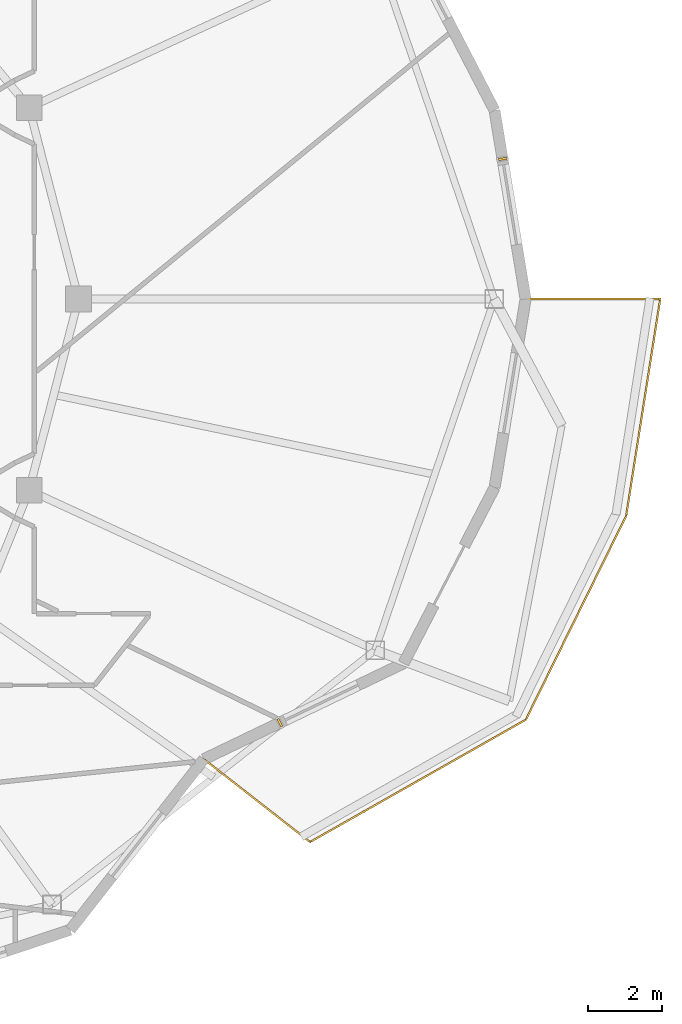
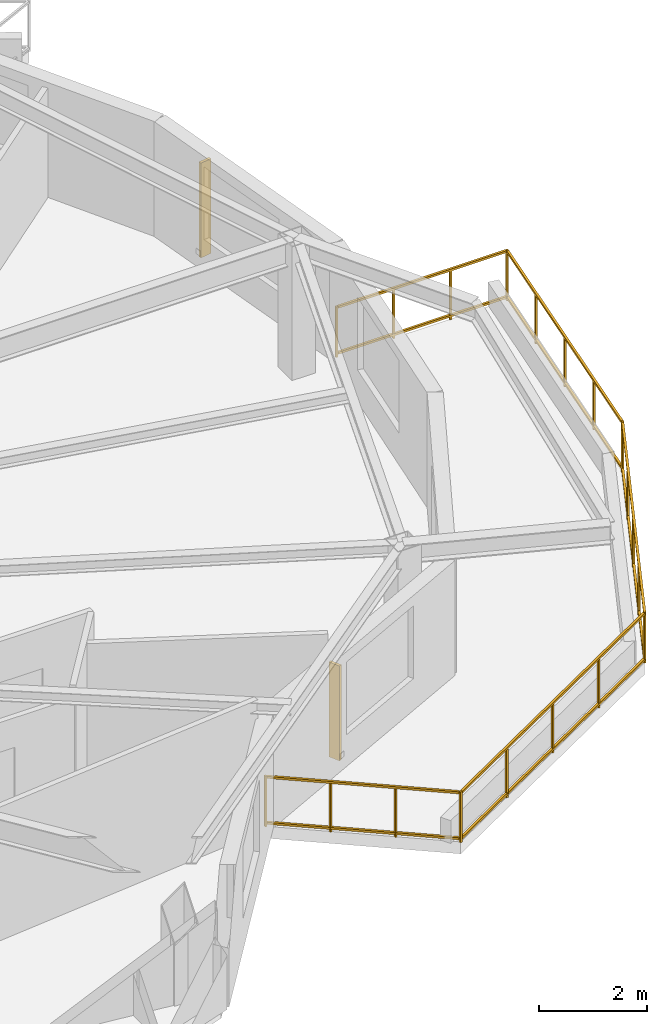
# One storey, part 12 of 14: 2 shading devices, 1 railing.
"""IFC4 building model written with IfcOpenShell, lengths in metres."""

import ifcopenshell
import ifcopenshell.guid

model = None  # the IFC model being written
_history = None  # IfcOwnerHistory: only IFC2X3 demands one
_inside = {}  # id of a spatial element -> (the spatial element, [elements in it])
_under = {}  # id of a project, library or spatial element -> (it, [spatial elements below it])
_declared = {}  # id of a project -> (the project, [libraries it declares])
_typed = {}  # id of a type object -> (the type object, [elements of that type])
_made_of = {}  # id of a material, layer set ... -> (it, [elements and type objects made of it])


def new_model(schema):
    """Start an empty IFC model of exactly this schema.

    Asked for "IFC4X3", IfcOpenShell would pick the latest addendum, in which some entities
    have other attributes; the version numbers below select the first issue.
    IFC2X3 requires an IfcOwnerHistory on every rooted entity: one is made here for all.
    """
    global model, _history
    if schema == "IFC4X3":
        model = ifcopenshell.file(schema_version=(4, 3, 0, 0))
    else:
        model = ifcopenshell.file(schema=schema)
    _inside.clear()
    _under.clear()
    _declared.clear()
    _typed.clear()
    _made_of.clear()
    _history = None
    if model.schema == "IFC2X3":
        org = make("IfcOrganization", Name="unknown")
        user = make(
            "IfcPersonAndOrganization",
            ThePerson=make("IfcPerson", FamilyName="unknown"),
            TheOrganization=org,
        )
        app = make(
            "IfcApplication",
            ApplicationDeveloper=org,
            Version="unknown",
            ApplicationFullName="unknown",
            ApplicationIdentifier="unknown",
        )
        _history = make(
            "IfcOwnerHistory",
            OwningUser=user,
            OwningApplication=app,
            ChangeAction="ADDED",
            CreationDate=0,
        )
    return model


def make(cls, **values):
    """One entity of the class cls with the attributes given. An attribute that is None is left unset."""
    return model.create_entity(
        cls, **{name: value for name, value in values.items() if value is not None}
    )


def rooted(cls, **values):
    """An entity with a GlobalId (a new one), such as an element, a storey or a relation."""
    return make(cls, GlobalId=ifcopenshell.guid.new(), OwnerHistory=_history, **values)


def si_unit(unit_type, name, prefix=None):
    """IfcSIUnit, for example si_unit("LENGTHUNIT", "METRE", prefix="MILLI")."""
    return make("IfcSIUnit", UnitType=unit_type, Prefix=prefix, Name=name)


def assignment(units):
    """IfcUnitAssignment: the units of a project."""
    return None if units is None else make("IfcUnitAssignment", Units=units)


def point(xyz):
    """IfcCartesianPoint."""
    return None if xyz is None else make("IfcCartesianPoint", Coordinates=xyz)


def direction(xyz):
    """IfcDirection."""
    return None if xyz is None else make("IfcDirection", DirectionRatios=xyz)


def frame(location, z_axis=None, x_axis=None):
    """IfcAxis2Placement3D, a coordinate frame: its origin and axes. An axis left out is left unset."""
    return make(
        "IfcAxis2Placement3D",
        Location=point(location),
        Axis=direction(z_axis),
        RefDirection=direction(x_axis),
    )


def frame_2d(location, x_axis=None):
    """IfcAxis2Placement2D, a coordinate frame in the plane: its origin and x axis."""
    return make(
        "IfcAxis2Placement2D", Location=point(location), RefDirection=direction(x_axis)
    )


def origin():
    """The frame at (0, 0, 0) with its axes left unset."""
    return frame((0.0, 0.0, 0.0))


def origin_2d():
    """The frame at (0, 0) in the plane with its x axis left unset."""
    return frame_2d((0.0, 0.0))


def place(relative_to, where):
    """IfcLocalPlacement: puts the frame where relative to a parent placement (None: the world)."""
    return make(
        "IfcLocalPlacement", PlacementRelTo=relative_to, RelativePlacement=where
    )


def context(
    kind, dimensions, precision=None, world=None, true_north=None, identifier=None
):
    """IfcGeometricRepresentationContext, for example the 3D "Model" context."""
    return make(
        "IfcGeometricRepresentationContext",
        ContextIdentifier=identifier,
        ContextType=kind,
        CoordinateSpaceDimension=dimensions,
        Precision=precision,
        WorldCoordinateSystem=world,
        TrueNorth=true_north,
    )


def subcontext(parent, identifier, kind, view, scale=None):
    """IfcGeometricRepresentationSubContext, for example "Body" below "Model"."""
    return make(
        "IfcGeometricRepresentationSubContext",
        ContextIdentifier=identifier,
        ContextType=kind,
        ParentContext=parent,
        TargetScale=scale,
        TargetView=view,
    )


def project(units=None, contexts=None):
    """IfcProject with its units and contexts."""
    return rooted(
        "IfcProject",
        Name="project",
        RepresentationContexts=contexts,
        UnitsInContext=assignment(units),
    )


def spatial(cls, under=None, at=None, **own):
    """A site, building, storey or space (cls), placed at a placement, below another one or the project."""
    s = rooted(cls, ObjectPlacement=at, **own)
    if under is not None:
        _under.setdefault(under.id(), (under, []))[1].append(s)
    return s


def profile(cls, at=None, kind="AREA", **sizes):
    """A parametric profile (cls). Its sizes go by their IFC names, for example OverallWidth=200.0."""
    return make(cls, ProfileType=kind, Position=at, **sizes)


def rectangle(**sizes):
    """IfcRectangleProfileDef."""
    return profile("IfcRectangleProfileDef", **sizes)


def extrude(swept, where, along, depth):
    """IfcExtrudedAreaSolid: the profile swept, set in the frame where, extruded along a direction by depth."""
    return make(
        "IfcExtrudedAreaSolid",
        SweptArea=swept,
        Position=where,
        ExtrudedDirection=direction(along),
        Depth=depth,
    )


def shape(context_of_items, identifier, shape_type, items):
    """IfcShapeRepresentation: the items that make up one representation, for example the "Body"."""
    return make(
        "IfcShapeRepresentation",
        ContextOfItems=context_of_items,
        RepresentationIdentifier=identifier,
        RepresentationType=shape_type,
        Items=items,
    )


def material(Name=None, Category=None):
    """IfcMaterial."""
    return make("IfcMaterial", Name=Name, Category=Category)


def made_of(thing, what):
    """Note that an element or type object is made of a material, layer set ...; save() writes the relation."""
    if what is not None:
        _made_of.setdefault(what.id(), (what, []))[1].append(thing)
    return thing


def type_object(cls, material=None, **own):
    """A type object (cls), such as IfcWallType, which elements share."""
    return made_of(rooted(cls, **own), material)


def element(
    cls,
    number,
    at=None,
    inside=None,
    cuts=None,
    type_object=None,
    material=None,
    context=None,
    identifier="Body",
    shape_type=None,
    held_by="IfcProductDefinitionShape",
    body=None,
    shapes=None,
    **own,
):
    """One element of the class cls, such as IfcWall. Its Tag is "e" and its number.

    at: its placement. inside: the storey or other place that contains it. cuts: it is an
    opening in that element (IfcRelVoidsElement). A single representation is given by context,
    identifier, shape_type and body (its items); several are given by shapes. held_by: the class
    of the entity that holds the representations. save() writes the other relations.
    """
    e = rooted(cls, Tag="e%d" % number, ObjectPlacement=at, **own)
    if body is not None:
        shapes = [shape(context, identifier, shape_type, body)]
    if shapes is not None:
        e.Representation = make(held_by, Representations=shapes)
    if inside is not None:
        _inside.setdefault(inside.id(), (inside, []))[1].append(e)
    if cuts is not None:
        rooted(
            "IfcRelVoidsElement", RelatingBuildingElement=cuts, RelatedOpeningElement=e
        )
    if type_object is not None:
        _typed.setdefault(type_object.id(), (type_object, []))[1].append(e)
    return made_of(e, material)


def aggregate(whole, parts):
    """IfcRelAggregates: a whole, such as a stair, and the parts it consists of."""
    return rooted("IfcRelAggregates", RelatingObject=whole, RelatedObjects=parts)


def save(model, path):
    """Write the relations noted so far, then the file.

    IfcRelAggregates (storeys below a building ...), IfcRelContainedInSpatialStructure (elements
    in a storey), IfcRelDefinesByType, IfcRelAssociatesMaterial and IfcRelDeclares: one each for
    every whole, place, type object, material and project.
    """
    for whole, parts in _under.values():
        aggregate(whole, parts)
    for where, things in _inside.values():
        rooted(
            "IfcRelContainedInSpatialStructure",
            RelatedElements=things,
            RelatingStructure=where,
        )
    for kind, things in _typed.values():
        rooted("IfcRelDefinesByType", RelatedObjects=things, RelatingType=kind)
    for what, things in _made_of.values():
        rooted("IfcRelAssociatesMaterial", RelatedObjects=things, RelatingMaterial=what)
    for by, libraries in _declared.values():
        rooted("IfcRelDeclares", RelatingContext=by, RelatedDefinitions=libraries)
    model.write(path)


model = new_model("IFC4")

# Units and contexts
model_context = context("Model", 3, precision=1e-05, world=origin(), true_north=direction((0.0, 1.0)))
body_context = subcontext(model_context, "Body", "Model", "MODEL_VIEW")
ifc_project = project(units=[si_unit("LENGTHUNIT", "METRE"), si_unit("AREAUNIT", "SQUARE_METRE"), si_unit("VOLUMEUNIT", "CUBIC_METRE"), si_unit("PLANEANGLEUNIT", "RADIAN"), si_unit("MASSUNIT", "GRAM", prefix="KILO")], contexts=[model_context])

# Site, building, storey
site_placement = place(None, origin())
site = spatial("IfcSite", under=ifc_project, at=site_placement, CompositionType="ELEMENT")
building_placement = place(site_placement, origin())
building = spatial("IfcBuilding", under=site, at=building_placement, Name="Kolvaren Gate Tower and Convention Centre", CompositionType="ELEMENT")
storey_placement = place(building_placement, frame((0.0, 0.0, 216.199951171875)))
storey = spatial("IfcBuildingStorey", under=building, at=storey_placement, Name="L57", CompositionType="ELEMENT", Elevation=216.199951171875)

# Railing
ifc_material_1 = material(Name="Brushed Stainless Steel Grade 316L", Category="steel")
railing_type = type_object("IfcRailingType", Name="ARCH-RL-GUARD-1150", PredefinedType="GUARDRAIL", material=ifc_material_1)
railing_placement = place(storey_placement, frame((46.132568359375, 14.49267578125, 0.0)))
element("IfcRailing", 1, at=railing_placement, inside=storey, type_object=railing_type, Name="Tower L57 Terrace Perimeter Guardrail GR-4", PredefinedType="GUARDRAIL", context=body_context, shape_type="SweptSolid", body=[
    extrude(rectangle(XDim=0.048095703125, YDim=0.048095703125, at=origin_2d()), frame((0.022216796875, -0.017333984375, 1.1259765625), z_axis=(0.787988976981, -0.61568934712, 0.0), x_axis=(0.61568934712, 0.787988976981, 0.0)), (0.0, 0.0, 1.0), 3.60400390625),
    extrude(rectangle(XDim=0.048095703125, YDim=0.048095703125, at=origin_2d()), frame((0.022216796875, -0.017333984375, 0.083984375), z_axis=(0.787988976981, -0.61568934712, 0.0), x_axis=(0.61568934712, 0.787988976981, 0.0)), (0.0, 0.0, 1.0), 3.60400390625),
    extrude(rectangle(XDim=0.048095703125, YDim=0.048095703125, at=origin_2d()), frame((2.908447265625, -2.239501953125, 1.1259765625), z_axis=(0.869876155964, 0.493270182846, 0.0), x_axis=(-0.493270182846, 0.869876155964, 0.0)), (0.0, 0.0, 1.0), 6.6865234375),
    extrude(rectangle(XDim=0.048095703125, YDim=0.048095703125, at=origin_2d()), frame((2.908447265625, -2.239501953125, 0.083984375), z_axis=(0.869876155964, 0.493270182846, 0.0), x_axis=(-0.493270182846, 0.869876155964, 0.0)), (0.0, 0.0, 1.0), 6.6865234375),
    extrude(rectangle(XDim=0.048095703125, YDim=0.048095703125, at=origin_2d()), frame((8.76171875, 1.09765625, 1.1259765625), z_axis=(0.441625304244, 0.897199582396, 0.0), x_axis=(-0.897199582396, 0.441625304244, 0.0)), (0.0, 0.0, 1.0), 6.122314453125),
    extrude(rectangle(XDim=0.048095703125, YDim=0.048095703125, at=origin_2d()), frame((8.76171875, 1.09765625, 0.083984375), z_axis=(0.441625304244, 0.897199582396, 0.0), x_axis=(-0.897199582396, 0.441625304244, 0.0)), (0.0, 0.0, 1.0), 6.122314453125),
    extrude(rectangle(XDim=0.048095703125, YDim=0.048095703125, at=origin_2d()), frame((11.482177734375, 6.643310546875, 1.1259765625), z_axis=(0.155031225865, 0.987909570258, 0.0), x_axis=(-0.987909570258, 0.155031225865, 0.0)), (0.0, 0.0, 1.0), 5.90771484375),
    extrude(rectangle(XDim=0.048095703125, YDim=0.048095703125, at=origin_2d()), frame((11.482177734375, 6.643310546875, 0.083984375), z_axis=(0.155031225865, 0.987909570258, 0.0), x_axis=(-0.987909570258, 0.155031225865, 0.0)), (0.0, 0.0, 1.0), 5.90771484375),
    extrude(rectangle(XDim=0.048095703125, YDim=0.048095703125, at=origin_2d()), frame((12.374267578125, 12.50732421875, 1.1259765625), z_axis=(-1.0, 0.0, 0.0), x_axis=(0.0, -1.0, 0.0)), (0.0, 0.0, 1.0), 3.603759765625),
    extrude(rectangle(XDim=0.048095703125, YDim=0.048095703125, at=origin_2d()), frame((12.374267578125, 12.50732421875, 0.083984375), z_axis=(-1.0, 0.0, 0.0), x_axis=(0.0, -1.0, 0.0)), (0.0, 0.0, 1.0), 3.603759765625),
    extrude(rectangle(XDim=0.0419921875, YDim=0.0419921875, at=origin_2d()), origin(), (0.0, 0.0, 1.0), 1.14990234375),
    extrude(rectangle(XDim=0.0419921875, YDim=0.0419921875, at=origin_2d()), frame((2.884033203125, -2.25341796875, 0.0)), (0.0, 0.0, 1.0), 1.14990234375),
    extrude(rectangle(XDim=0.0419921875, YDim=0.0419921875, at=origin_2d()), frame((0.96142578125, -0.751220703125, 0.0)), (0.0, 0.0, 1.0), 1.099853515625),
    extrude(rectangle(XDim=0.0419921875, YDim=0.0419921875, at=origin_2d()), frame((1.922607421875, -1.502197265625, 0.0)), (0.0, 0.0, 1.0), 1.099853515625),
    extrude(rectangle(XDim=0.0419921875, YDim=0.0419921875, at=origin_2d()), frame((8.749267578125, 1.072509765625, 0.0)), (0.0, 0.0, 1.0), 1.14990234375),
    extrude(rectangle(XDim=0.0419921875, YDim=0.0419921875, at=origin_2d()), frame((4.350341796875, -1.421875, 0.0)), (0.0, 0.0, 1.0), 1.099853515625),
    extrude(rectangle(XDim=0.0419921875, YDim=0.0419921875, at=origin_2d()), frame((5.816650390625, -0.59033203125, 0.0)), (0.0, 0.0, 1.0), 1.099853515625),
    extrude(rectangle(XDim=0.0419921875, YDim=0.0419921875, at=origin_2d()), frame((7.282958984375, 0.240966796875, 0.0)), (0.0, 0.0, 1.0), 1.099853515625),
    extrude(rectangle(XDim=0.0419921875, YDim=0.0419921875, at=origin_2d()), frame((11.477783203125, 6.61572265625, 0.0)), (0.0, 0.0, 1.0), 1.14990234375),
    extrude(rectangle(XDim=0.0419921875, YDim=0.0419921875, at=origin_2d()), frame((9.431396484375, 2.458251953125, 0.0)), (0.0, 0.0, 1.0), 1.099853515625),
    extrude(rectangle(XDim=0.0419921875, YDim=0.0419921875, at=origin_2d()), frame((10.113525390625, 3.84423828125, 0.0)), (0.0, 0.0, 1.0), 1.099853515625),
    extrude(rectangle(XDim=0.0419921875, YDim=0.0419921875, at=origin_2d()), frame((10.795654296875, 5.22998046875, 0.0)), (0.0, 0.0, 1.0), 1.099853515625),
    extrude(rectangle(XDim=0.0419921875, YDim=0.0419921875, at=origin_2d()), frame((12.40234375, 12.50732421875, 0.0)), (0.0, 0.0, 1.0), 1.14990234375),
    extrude(rectangle(XDim=0.0419921875, YDim=0.0419921875, at=origin_2d()), frame((11.708984375, 8.088623046875, 0.0)), (0.0, 0.0, 1.0), 1.099853515625),
    extrude(rectangle(XDim=0.0419921875, YDim=0.0419921875, at=origin_2d()), frame((11.93994140625, 9.5615234375, 0.0)), (0.0, 0.0, 1.0), 1.099853515625),
    extrude(rectangle(XDim=0.0419921875, YDim=0.0419921875, at=origin_2d()), frame((12.171142578125, 11.034423828125, 0.0)), (0.0, 0.0, 1.0), 1.099853515625),
    extrude(rectangle(XDim=0.0419921875, YDim=0.0419921875, at=origin_2d()), frame((8.742431640625, 12.50732421875, 0.0)), (0.0, 0.0, 1.0), 1.14990234375),
    extrude(rectangle(XDim=0.0419921875, YDim=0.0419921875, at=origin_2d()), frame((11.182373046875, 12.50732421875, 0.0)), (0.0, 0.0, 1.0), 1.099853515625),
    extrude(rectangle(XDim=0.0419921875, YDim=0.0419921875, at=origin_2d()), frame((9.96240234375, 12.50732421875, 0.0)), (0.0, 0.0, 1.0), 1.099853515625),
])

# Shading devices
ifc_material_2 = material(Name="Kiln-Fired Bogota Terracotta Ceramic Louvre Profile", Category="masonry")
shading_device_type = type_object("IfcShadingDeviceType", Name="ARCH-SHD-FIN-180", PredefinedType="JALOUSIE", material=ifc_material_2)
for number, where, z_axis, x_axis, name in (
    (2, (54.248779296875, 30.805419921875, 0.22021484375), (0.0, 0.0, 1.0), (0.162375401515, -0.986729055508, 0.0), "Ceramic Vertical Brise-Soleil Fin FN-L57-00"),
    (3, (48.196533203125, 15.484375, 0.22021484375), (0.0, 0.0, 1.0), (0.90135914581, 0.433072384555, 0.0), "Ceramic Vertical Brise-Soleil Fin FN-L57-21"),
):
    element("IfcShadingDevice", number, at=place(storey_placement, frame(where, z_axis=z_axis, x_axis=x_axis)), inside=storey, type_object=shading_device_type, Name=name, PredefinedType="JALOUSIE", context=body_context, shape_type="SweptSolid", body=[
        extrude(rectangle(XDim=0.06005859375, YDim=0.239990234375, at=origin_2d()), origin(), (0.0, 0.0, 1.0), 2.14990234375),
    ])

save(model, "model.ifc")
